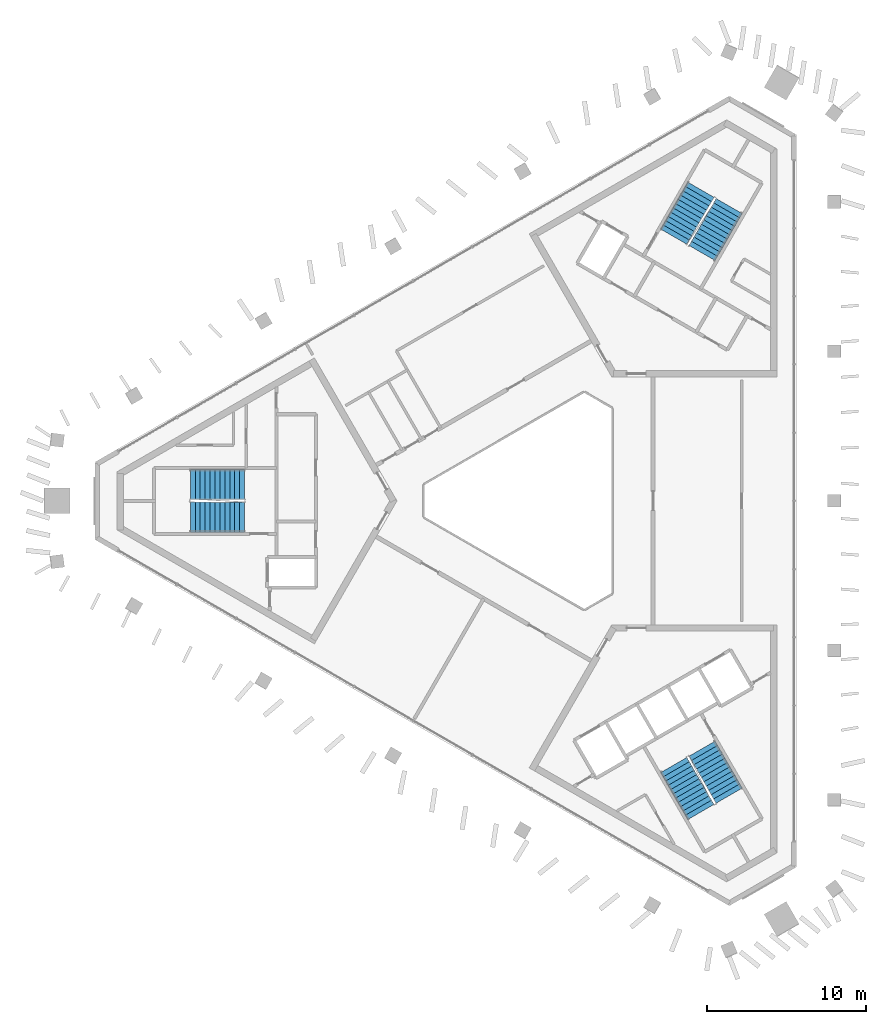
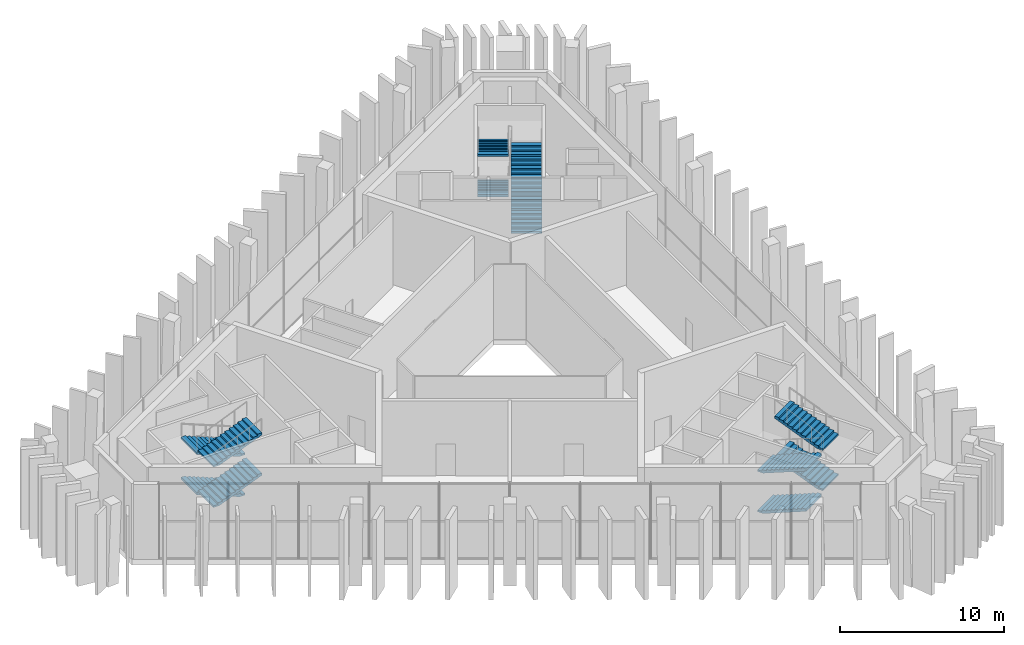
# One storey, part 10 of 12: 12 stair flights, 3 elements without a shape of their own.
"""IFC4 building model written with IfcOpenShell, lengths in metres."""

from ifc_helpers import new_model, si_unit, direction, frame, origin, place, context, subcontext, project, spatial, polyline, outline, extrude, material, type_object, element, aggregate, save


model = new_model("IFC4")

# Units and contexts
model_context = context("Model", 3, precision=1e-05, world=origin(), true_north=direction((0.0, 1.0)))
body_context = subcontext(model_context, "Body", "Model", "MODEL_VIEW")
ifc_project = project(units=[si_unit("LENGTHUNIT", "METRE"), si_unit("AREAUNIT", "SQUARE_METRE"), si_unit("VOLUMEUNIT", "CUBIC_METRE"), si_unit("PLANEANGLEUNIT", "RADIAN"), si_unit("MASSUNIT", "GRAM", prefix="KILO")], contexts=[model_context])

# Site, building, storey
site_placement = place(None, origin())
site = spatial("IfcSite", under=ifc_project, at=site_placement, CompositionType="ELEMENT")
building_placement = place(site_placement, origin())
building = spatial("IfcBuilding", under=site, at=building_placement, Name="Jabali Bay Hotel Tower and Convention Centre", CompositionType="ELEMENT")
storey_placement = place(building_placement, frame((0.0, 0.0, 304.800048828125)))
storey = spatial("IfcBuildingStorey", under=building, at=storey_placement, Name="L75", CompositionType="ELEMENT", Elevation=304.800048828125)

# Stair, stair flights
ifc_material = material(Name="Concrete C40", Category="concrete")
stair_type = type_object("IfcStairType", Name="Exit stair 1900", PredefinedType="HALF_TURN_STAIR", material=ifc_material)
stair_1_placement = place(storey_placement, origin())
stair_1 = element("IfcStair", 1, at=stair_1_placement, inside=storey, type_object=stair_type, Name="L75 Exit Stair 1", PredefinedType="HALF_TURN_STAIR")
stair_flight_type = type_object("IfcStairFlightType", Name="Stair flight concrete 150", PredefinedType="STRAIGHT", material=ifc_material)
stair_flight_1_placement = place(storey_placement, frame((56.419921875, 81.02490234375, 0.0), z_axis=(0.0, 0.0, 1.0), x_axis=(-1.0, 0.0, 0.0)))
stair_flight_1 = element("IfcStairFlight", 2, at=stair_flight_1_placement, type_object=stair_flight_type, Name="ST1 flight 1", NumberOfRisers=12, NumberOfTreads=11, PredefinedType="STRAIGHT", RiserHeight=0.125, TreadLength=0.31, context=body_context, shape_type="SweptSolid", body=[
    extrude(outline(polyline([(0.0, 0.0), (0.0, 0.125), (0.31005859375, 0.125), (0.31005859375, 0.25), (0.6201171875, 0.25), (0.6201171875, 0.375), (0.929931640625, 0.375), (0.929931640625, 0.5), (1.239990234375, 0.5), (1.239990234375, 0.625), (1.550048828125, 0.625), (1.550048828125, 0.75), (1.860107421875, 0.75), (1.860107421875, 0.875), (2.169921875, 0.875), (2.169921875, 1.0), (2.47998046875, 1.0), (2.47998046875, 1.125), (2.7900390625, 1.125), (2.7900390625, 1.25), (3.10009765625, 1.25), (3.10009765625, 1.375), (3.409912109375, 1.375), (3.409912109375, 1.5), (3.409912109375, 1.21337890625), (0.40087890625, 0.0), (0.0, 0.0)])), frame((0.0, 0.949951171875, 0.0), z_axis=(0.0, -1.0, 0.0), x_axis=(1.0, 0.0, 0.0)), (0.0, 0.0, 1.0), 1.89990234375),
])
stair_flight_2_placement = place(storey_placement, frame((53.010009765625, 78.97509765625, 1.5), z_axis=(0.0, 0.0, 1.0), x_axis=(1.0, 0.0, 0.0)))
stair_flight_2 = element("IfcStairFlight", 3, at=stair_flight_2_placement, type_object=stair_flight_type, Name="ST1 flight 2", NumberOfRisers=12, NumberOfTreads=11, PredefinedType="STRAIGHT", RiserHeight=0.125, TreadLength=0.31, context=body_context, shape_type="SweptSolid", body=[
    extrude(outline(polyline([(0.0, 0.0), (0.0, 0.125), (0.31005859375, 0.125), (0.31005859375, 0.25), (0.6201171875, 0.25), (0.6201171875, 0.375), (0.929931640625, 0.375), (0.929931640625, 0.5), (1.239990234375, 0.5), (1.239990234375, 0.625), (1.550048828125, 0.625), (1.550048828125, 0.75), (1.860107421875, 0.75), (1.860107421875, 0.875), (2.169921875, 0.875), (2.169921875, 1.0), (2.47998046875, 1.0), (2.47998046875, 1.125), (2.7900390625, 1.125), (2.7900390625, 1.25), (3.10009765625, 1.25), (3.10009765625, 1.375), (3.409912109375, 1.375), (3.409912109375, 1.5), (3.409912109375, 1.21337890625), (0.40087890625, 0.0), (0.0, 0.0)])), frame((0.0, 0.949951171875, 0.0), z_axis=(0.0, -1.0, 0.0), x_axis=(1.0, 0.0, 0.0)), (0.0, 0.0, 1.0), 1.89990234375),
])
stair_flight_3_placement = place(storey_placement, frame((56.419921875, 81.02490234375, 3.0), z_axis=(0.0, 0.0, 1.0), x_axis=(-1.0, 0.0, 0.0)))
stair_flight_3 = element("IfcStairFlight", 4, at=stair_flight_3_placement, type_object=stair_flight_type, Name="ST1 flight 3", NumberOfRisers=12, NumberOfTreads=11, PredefinedType="STRAIGHT", RiserHeight=0.125, TreadLength=0.31, context=body_context, shape_type="SweptSolid", body=[
    extrude(outline(polyline([(0.0, 0.0), (0.0, 0.125), (0.31005859375, 0.125), (0.31005859375, 0.25), (0.6201171875, 0.25), (0.6201171875, 0.375), (0.929931640625, 0.375), (0.929931640625, 0.5), (1.239990234375, 0.5), (1.239990234375, 0.625), (1.550048828125, 0.625), (1.550048828125, 0.75), (1.860107421875, 0.75), (1.860107421875, 0.875), (2.169921875, 0.875), (2.169921875, 1.0), (2.47998046875, 1.0), (2.47998046875, 1.125), (2.7900390625, 1.125), (2.7900390625, 1.25), (3.10009765625, 1.25), (3.10009765625, 1.375), (3.409912109375, 1.375), (3.409912109375, 1.5), (3.409912109375, 1.21337890625), (0.40087890625, 0.0), (0.0, 0.0)])), frame((0.0, 0.949951171875, 0.0), z_axis=(0.0, -1.0, 0.0), x_axis=(1.0, 0.0, 0.0)), (0.0, 0.0, 1.0), 1.89990234375),
])
stair_flight_4_placement = place(storey_placement, frame((53.010009765625, 78.97509765625, 4.5), z_axis=(0.0, 0.0, 1.0), x_axis=(1.0, 0.0, 0.0)))
stair_flight_4 = element("IfcStairFlight", 5, at=stair_flight_4_placement, type_object=stair_flight_type, Name="ST1 flight 4", NumberOfRisers=12, NumberOfTreads=11, PredefinedType="STRAIGHT", RiserHeight=0.125, TreadLength=0.31, context=body_context, shape_type="SweptSolid", body=[
    extrude(outline(polyline([(0.0, 0.0), (0.0, 0.125), (0.31005859375, 0.125), (0.31005859375, 0.25), (0.6201171875, 0.25), (0.6201171875, 0.375), (0.929931640625, 0.375), (0.929931640625, 0.5), (1.239990234375, 0.5), (1.239990234375, 0.625), (1.550048828125, 0.625), (1.550048828125, 0.75), (1.860107421875, 0.75), (1.860107421875, 0.875), (2.169921875, 0.875), (2.169921875, 1.0), (2.47998046875, 1.0), (2.47998046875, 1.125), (2.7900390625, 1.125), (2.7900390625, 1.25), (3.10009765625, 1.25), (3.10009765625, 1.375), (3.409912109375, 1.375), (3.409912109375, 1.5), (3.409912109375, 1.21337890625), (0.40087890625, 0.0), (0.0, 0.0)])), frame((0.0, 0.949951171875, 0.0), z_axis=(0.0, -1.0, 0.0), x_axis=(1.0, 0.0, 0.0)), (0.0, 0.0, 1.0), 1.89990234375),
])
aggregate(stair_1, [stair_flight_1, stair_flight_2, stair_flight_3, stair_flight_4])

stair_2_placement = place(storey_placement, origin())
stair_2 = element("IfcStair", 6, at=stair_2_placement, inside=storey, type_object=stair_type, Name="L75 Exit Stair 2", PredefinedType="HALF_TURN_STAIR")
stair_flight_5_placement = place(storey_placement, frame((85.177734375, 95.578369140625, 0.0), z_axis=(0.0, 0.0, 1.0), x_axis=(0.5, 0.866025403784, 0.0)))
stair_flight_5 = element("IfcStairFlight", 7, at=stair_flight_5_placement, type_object=stair_flight_type, Name="ST2 flight 1", NumberOfRisers=12, NumberOfTreads=11, PredefinedType="STRAIGHT", RiserHeight=0.125, TreadLength=0.31, context=body_context, shape_type="SweptSolid", body=[
    extrude(outline(polyline([(0.0, 0.0), (0.0, 0.125), (0.31005859375, 0.125), (0.31005859375, 0.25), (0.6201171875, 0.25), (0.6201171875, 0.375), (0.929931640625, 0.375), (0.929931640625, 0.5), (1.239990234375, 0.5), (1.239990234375, 0.625), (1.550048828125, 0.625), (1.550048828125, 0.75), (1.860107421875, 0.75), (1.860107421875, 0.875), (2.169921875, 0.875), (2.169921875, 1.0), (2.47998046875, 1.0), (2.47998046875, 1.125), (2.7900390625, 1.125), (2.7900390625, 1.25), (3.10009765625, 1.25), (3.10009765625, 1.375), (3.409912109375, 1.375), (3.409912109375, 1.5), (3.409912109375, 1.21337890625), (0.40087890625, 0.0), (0.0, 0.0)])), frame((0.0, 0.949951171875, 0.0), z_axis=(0.0, -1.0, 0.0), x_axis=(1.0, 0.0, 0.0)), (0.0, 0.0, 1.0), 1.89990234375),
])
stair_flight_6_placement = place(storey_placement, frame((85.107421875, 99.556396484375, 1.5), z_axis=(0.0, 0.0, 1.0), x_axis=(-0.5, -0.866025403784, 0.0)))
stair_flight_6 = element("IfcStairFlight", 8, at=stair_flight_6_placement, type_object=stair_flight_type, Name="ST2 flight 2", NumberOfRisers=12, NumberOfTreads=11, PredefinedType="STRAIGHT", RiserHeight=0.125, TreadLength=0.31, context=body_context, shape_type="SweptSolid", body=[
    extrude(outline(polyline([(0.0, 0.0), (0.0, 0.125), (0.31005859375, 0.125), (0.31005859375, 0.25), (0.6201171875, 0.25), (0.6201171875, 0.375), (0.929931640625, 0.375), (0.929931640625, 0.5), (1.239990234375, 0.5), (1.239990234375, 0.625), (1.550048828125, 0.625), (1.550048828125, 0.75), (1.860107421875, 0.75), (1.860107421875, 0.875), (2.169921875, 0.875), (2.169921875, 1.0), (2.47998046875, 1.0), (2.47998046875, 1.125), (2.7900390625, 1.125), (2.7900390625, 1.25), (3.10009765625, 1.25), (3.10009765625, 1.375), (3.409912109375, 1.375), (3.409912109375, 1.5), (3.409912109375, 1.21337890625), (0.40087890625, 0.0), (0.0, 0.0)])), frame((0.0, 0.949951171875, 0.0), z_axis=(0.0, -1.0, 0.0), x_axis=(1.0, 0.0, 0.0)), (0.0, 0.0, 1.0), 1.89990234375),
])
stair_flight_7_placement = place(storey_placement, frame((85.177734375, 95.578369140625, 3.0), z_axis=(0.0, 0.0, 1.0), x_axis=(0.5, 0.866025403784, 0.0)))
stair_flight_7 = element("IfcStairFlight", 9, at=stair_flight_7_placement, type_object=stair_flight_type, Name="ST2 flight 3", NumberOfRisers=12, NumberOfTreads=11, PredefinedType="STRAIGHT", RiserHeight=0.125, TreadLength=0.31, context=body_context, shape_type="SweptSolid", body=[
    extrude(outline(polyline([(0.0, 0.0), (0.0, 0.125), (0.31005859375, 0.125), (0.31005859375, 0.25), (0.6201171875, 0.25), (0.6201171875, 0.375), (0.929931640625, 0.375), (0.929931640625, 0.5), (1.239990234375, 0.5), (1.239990234375, 0.625), (1.550048828125, 0.625), (1.550048828125, 0.75), (1.860107421875, 0.75), (1.860107421875, 0.875), (2.169921875, 0.875), (2.169921875, 1.0), (2.47998046875, 1.0), (2.47998046875, 1.125), (2.7900390625, 1.125), (2.7900390625, 1.25), (3.10009765625, 1.25), (3.10009765625, 1.375), (3.409912109375, 1.375), (3.409912109375, 1.5), (3.409912109375, 1.21337890625), (0.40087890625, 0.0), (0.0, 0.0)])), frame((0.0, 0.949951171875, 0.0), z_axis=(0.0, -1.0, 0.0), x_axis=(1.0, 0.0, 0.0)), (0.0, 0.0, 1.0), 1.89990234375),
])
stair_flight_8_placement = place(storey_placement, frame((85.107421875, 99.556396484375, 4.5), z_axis=(0.0, 0.0, 1.0), x_axis=(-0.5, -0.866025403784, 0.0)))
stair_flight_8 = element("IfcStairFlight", 10, at=stair_flight_8_placement, type_object=stair_flight_type, Name="ST2 flight 4", NumberOfRisers=12, NumberOfTreads=11, PredefinedType="STRAIGHT", RiserHeight=0.125, TreadLength=0.31, context=body_context, shape_type="SweptSolid", body=[
    extrude(outline(polyline([(0.0, 0.0), (0.0, 0.125), (0.31005859375, 0.125), (0.31005859375, 0.25), (0.6201171875, 0.25), (0.6201171875, 0.375), (0.929931640625, 0.375), (0.929931640625, 0.5), (1.239990234375, 0.5), (1.239990234375, 0.625), (1.550048828125, 0.625), (1.550048828125, 0.75), (1.860107421875, 0.75), (1.860107421875, 0.875), (2.169921875, 0.875), (2.169921875, 1.0), (2.47998046875, 1.0), (2.47998046875, 1.125), (2.7900390625, 1.125), (2.7900390625, 1.25), (3.10009765625, 1.25), (3.10009765625, 1.375), (3.409912109375, 1.375), (3.409912109375, 1.5), (3.409912109375, 1.21337890625), (0.40087890625, 0.0), (0.0, 0.0)])), frame((0.0, 0.949951171875, 0.0), z_axis=(0.0, -1.0, 0.0), x_axis=(1.0, 0.0, 0.0)), (0.0, 0.0, 1.0), 1.89990234375),
])
aggregate(stair_2, [stair_flight_5, stair_flight_6, stair_flight_7, stair_flight_8])

stair_3_placement = place(storey_placement, origin())
stair_3 = element("IfcStair", 11, at=stair_3_placement, inside=storey, type_object=stair_type, Name="L75 Exit Stair 3", PredefinedType="HALF_TURN_STAIR")
stair_flight_9_placement = place(storey_placement, frame((83.40234375, 63.396728515625, 0.0), z_axis=(0.0, 0.0, 1.0), x_axis=(0.5, -0.866025403784, 0.0)))
stair_flight_9 = element("IfcStairFlight", 12, at=stair_flight_9_placement, type_object=stair_flight_type, Name="ST3 flight 1", NumberOfRisers=12, NumberOfTreads=11, PredefinedType="STRAIGHT", RiserHeight=0.125, TreadLength=0.31, context=body_context, shape_type="SweptSolid", body=[
    extrude(outline(polyline([(0.0, 0.0), (0.0, 0.125), (0.31005859375, 0.125), (0.31005859375, 0.25), (0.6201171875, 0.25), (0.6201171875, 0.375), (0.929931640625, 0.375), (0.929931640625, 0.5), (1.239990234375, 0.5), (1.239990234375, 0.625), (1.550048828125, 0.625), (1.550048828125, 0.75), (1.860107421875, 0.75), (1.860107421875, 0.875), (2.169921875, 0.875), (2.169921875, 1.0), (2.47998046875, 1.0), (2.47998046875, 1.125), (2.7900390625, 1.125), (2.7900390625, 1.25), (3.10009765625, 1.25), (3.10009765625, 1.375), (3.409912109375, 1.375), (3.409912109375, 1.5), (3.409912109375, 1.21337890625), (0.40087890625, 0.0), (0.0, 0.0)])), frame((0.0, 0.949951171875, 0.0), z_axis=(0.0, -1.0, 0.0), x_axis=(1.0, 0.0, 0.0)), (0.0, 0.0, 1.0), 1.89990234375),
])
stair_flight_10_placement = place(storey_placement, frame((86.882568359375, 61.468505859375, 1.5), z_axis=(0.0, 0.0, 1.0), x_axis=(-0.5, 0.866025403784, 0.0)))
stair_flight_10 = element("IfcStairFlight", 13, at=stair_flight_10_placement, type_object=stair_flight_type, Name="ST3 flight 2", NumberOfRisers=12, NumberOfTreads=11, PredefinedType="STRAIGHT", RiserHeight=0.125, TreadLength=0.31, context=body_context, shape_type="SweptSolid", body=[
    extrude(outline(polyline([(0.0, 0.0), (0.0, 0.125), (0.31005859375, 0.125), (0.31005859375, 0.25), (0.6201171875, 0.25), (0.6201171875, 0.375), (0.929931640625, 0.375), (0.929931640625, 0.5), (1.239990234375, 0.5), (1.239990234375, 0.625), (1.550048828125, 0.625), (1.550048828125, 0.75), (1.860107421875, 0.75), (1.860107421875, 0.875), (2.169921875, 0.875), (2.169921875, 1.0), (2.47998046875, 1.0), (2.47998046875, 1.125), (2.7900390625, 1.125), (2.7900390625, 1.25), (3.10009765625, 1.25), (3.10009765625, 1.375), (3.409912109375, 1.375), (3.409912109375, 1.5), (3.409912109375, 1.21337890625), (0.40087890625, 0.0), (0.0, 0.0)])), frame((0.0, 0.949951171875, 0.0), z_axis=(0.0, -1.0, 0.0), x_axis=(1.0, 0.0, 0.0)), (0.0, 0.0, 1.0), 1.89990234375),
])
stair_flight_11_placement = place(storey_placement, frame((83.40234375, 63.396728515625, 3.0), z_axis=(0.0, 0.0, 1.0), x_axis=(0.5, -0.866025403784, 0.0)))
stair_flight_11 = element("IfcStairFlight", 14, at=stair_flight_11_placement, type_object=stair_flight_type, Name="ST3 flight 3", NumberOfRisers=12, NumberOfTreads=11, PredefinedType="STRAIGHT", RiserHeight=0.125, TreadLength=0.31, context=body_context, shape_type="SweptSolid", body=[
    extrude(outline(polyline([(0.0, 0.0), (0.0, 0.125), (0.31005859375, 0.125), (0.31005859375, 0.25), (0.6201171875, 0.25), (0.6201171875, 0.375), (0.929931640625, 0.375), (0.929931640625, 0.5), (1.239990234375, 0.5), (1.239990234375, 0.625), (1.550048828125, 0.625), (1.550048828125, 0.75), (1.860107421875, 0.75), (1.860107421875, 0.875), (2.169921875, 0.875), (2.169921875, 1.0), (2.47998046875, 1.0), (2.47998046875, 1.125), (2.7900390625, 1.125), (2.7900390625, 1.25), (3.10009765625, 1.25), (3.10009765625, 1.375), (3.409912109375, 1.375), (3.409912109375, 1.5), (3.409912109375, 1.21337890625), (0.40087890625, 0.0), (0.0, 0.0)])), frame((0.0, 0.949951171875, 0.0), z_axis=(0.0, -1.0, 0.0), x_axis=(1.0, 0.0, 0.0)), (0.0, 0.0, 1.0), 1.89990234375),
])
stair_flight_12_placement = place(storey_placement, frame((86.882568359375, 61.468505859375, 4.5), z_axis=(0.0, 0.0, 1.0), x_axis=(-0.5, 0.866025403784, 0.0)))
stair_flight_12 = element("IfcStairFlight", 15, at=stair_flight_12_placement, type_object=stair_flight_type, Name="ST3 flight 4", NumberOfRisers=12, NumberOfTreads=11, PredefinedType="STRAIGHT", RiserHeight=0.125, TreadLength=0.31, context=body_context, shape_type="SweptSolid", body=[
    extrude(outline(polyline([(0.0, 0.0), (0.0, 0.125), (0.31005859375, 0.125), (0.31005859375, 0.25), (0.6201171875, 0.25), (0.6201171875, 0.375), (0.929931640625, 0.375), (0.929931640625, 0.5), (1.239990234375, 0.5), (1.239990234375, 0.625), (1.550048828125, 0.625), (1.550048828125, 0.75), (1.860107421875, 0.75), (1.860107421875, 0.875), (2.169921875, 0.875), (2.169921875, 1.0), (2.47998046875, 1.0), (2.47998046875, 1.125), (2.7900390625, 1.125), (2.7900390625, 1.25), (3.10009765625, 1.25), (3.10009765625, 1.375), (3.409912109375, 1.375), (3.409912109375, 1.5), (3.409912109375, 1.21337890625), (0.40087890625, 0.0), (0.0, 0.0)])), frame((0.0, 0.949951171875, 0.0), z_axis=(0.0, -1.0, 0.0), x_axis=(1.0, 0.0, 0.0)), (0.0, 0.0, 1.0), 1.89990234375),
])
aggregate(stair_3, [stair_flight_9, stair_flight_10, stair_flight_11, stair_flight_12])

save(model, "model.ifc")
